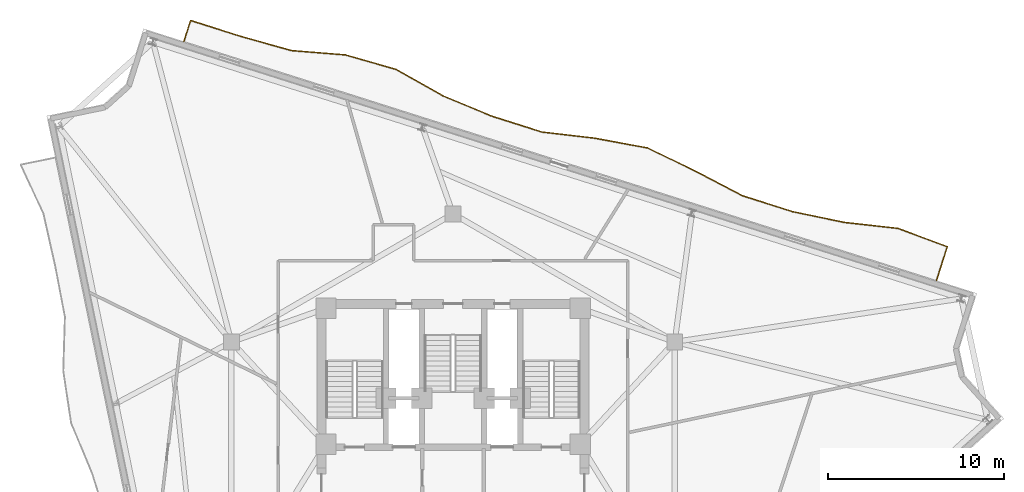
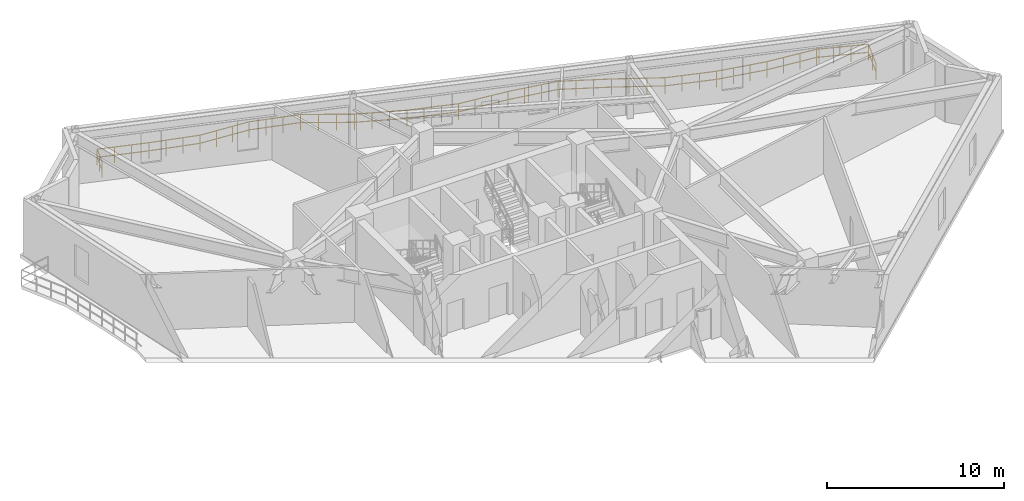
# One storey, part 11 of 11: 1 railing.
"""IFC4 building model written with IfcOpenShell, lengths in metres."""

import ifcopenshell
import ifcopenshell.guid

model = None  # the IFC model being written
_history = None  # IfcOwnerHistory: only IFC2X3 demands one
_inside = {}  # id of a spatial element -> (the spatial element, [elements in it])
_under = {}  # id of a project, library or spatial element -> (it, [spatial elements below it])
_declared = {}  # id of a project -> (the project, [libraries it declares])
_typed = {}  # id of a type object -> (the type object, [elements of that type])
_made_of = {}  # id of a material, layer set ... -> (it, [elements and type objects made of it])


def new_model(schema):
    """Start an empty IFC model of exactly this schema.

    Asked for "IFC4X3", IfcOpenShell would pick the latest addendum, in which some entities
    have other attributes; the version numbers below select the first issue.
    IFC2X3 requires an IfcOwnerHistory on every rooted entity: one is made here for all.
    """
    global model, _history
    if schema == "IFC4X3":
        model = ifcopenshell.file(schema_version=(4, 3, 0, 0))
    else:
        model = ifcopenshell.file(schema=schema)
    _inside.clear()
    _under.clear()
    _declared.clear()
    _typed.clear()
    _made_of.clear()
    _history = None
    if model.schema == "IFC2X3":
        org = make("IfcOrganization", Name="unknown")
        user = make(
            "IfcPersonAndOrganization",
            ThePerson=make("IfcPerson", FamilyName="unknown"),
            TheOrganization=org,
        )
        app = make(
            "IfcApplication",
            ApplicationDeveloper=org,
            Version="unknown",
            ApplicationFullName="unknown",
            ApplicationIdentifier="unknown",
        )
        _history = make(
            "IfcOwnerHistory",
            OwningUser=user,
            OwningApplication=app,
            ChangeAction="ADDED",
            CreationDate=0,
        )
    return model


def make(cls, **values):
    """One entity of the class cls with the attributes given. An attribute that is None is left unset."""
    return model.create_entity(
        cls, **{name: value for name, value in values.items() if value is not None}
    )


def rooted(cls, **values):
    """An entity with a GlobalId (a new one), such as an element, a storey or a relation."""
    return make(cls, GlobalId=ifcopenshell.guid.new(), OwnerHistory=_history, **values)


def si_unit(unit_type, name, prefix=None):
    """IfcSIUnit, for example si_unit("LENGTHUNIT", "METRE", prefix="MILLI")."""
    return make("IfcSIUnit", UnitType=unit_type, Prefix=prefix, Name=name)


def assignment(units):
    """IfcUnitAssignment: the units of a project."""
    return None if units is None else make("IfcUnitAssignment", Units=units)


def point(xyz):
    """IfcCartesianPoint."""
    return None if xyz is None else make("IfcCartesianPoint", Coordinates=xyz)


def direction(xyz):
    """IfcDirection."""
    return None if xyz is None else make("IfcDirection", DirectionRatios=xyz)


def frame(location, z_axis=None, x_axis=None):
    """IfcAxis2Placement3D, a coordinate frame: its origin and axes. An axis left out is left unset."""
    return make(
        "IfcAxis2Placement3D",
        Location=point(location),
        Axis=direction(z_axis),
        RefDirection=direction(x_axis),
    )


def frame_2d(location, x_axis=None):
    """IfcAxis2Placement2D, a coordinate frame in the plane: its origin and x axis."""
    return make(
        "IfcAxis2Placement2D", Location=point(location), RefDirection=direction(x_axis)
    )


def origin():
    """The frame at (0, 0, 0) with its axes left unset."""
    return frame((0.0, 0.0, 0.0))


def origin_2d():
    """The frame at (0, 0) in the plane with its x axis left unset."""
    return frame_2d((0.0, 0.0))


def place(relative_to, where):
    """IfcLocalPlacement: puts the frame where relative to a parent placement (None: the world)."""
    return make(
        "IfcLocalPlacement", PlacementRelTo=relative_to, RelativePlacement=where
    )


def context(
    kind, dimensions, precision=None, world=None, true_north=None, identifier=None
):
    """IfcGeometricRepresentationContext, for example the 3D "Model" context."""
    return make(
        "IfcGeometricRepresentationContext",
        ContextIdentifier=identifier,
        ContextType=kind,
        CoordinateSpaceDimension=dimensions,
        Precision=precision,
        WorldCoordinateSystem=world,
        TrueNorth=true_north,
    )


def subcontext(parent, identifier, kind, view, scale=None):
    """IfcGeometricRepresentationSubContext, for example "Body" below "Model"."""
    return make(
        "IfcGeometricRepresentationSubContext",
        ContextIdentifier=identifier,
        ContextType=kind,
        ParentContext=parent,
        TargetScale=scale,
        TargetView=view,
    )


def project(units=None, contexts=None):
    """IfcProject with its units and contexts."""
    return rooted(
        "IfcProject",
        Name="project",
        RepresentationContexts=contexts,
        UnitsInContext=assignment(units),
    )


def spatial(cls, under=None, at=None, **own):
    """A site, building, storey or space (cls), placed at a placement, below another one or the project."""
    s = rooted(cls, ObjectPlacement=at, **own)
    if under is not None:
        _under.setdefault(under.id(), (under, []))[1].append(s)
    return s


def profile(cls, at=None, kind="AREA", **sizes):
    """A parametric profile (cls). Its sizes go by their IFC names, for example OverallWidth=200.0."""
    return make(cls, ProfileType=kind, Position=at, **sizes)


def rectangle(**sizes):
    """IfcRectangleProfileDef."""
    return profile("IfcRectangleProfileDef", **sizes)


def extrude(swept, where, along, depth):
    """IfcExtrudedAreaSolid: the profile swept, set in the frame where, extruded along a direction by depth."""
    return make(
        "IfcExtrudedAreaSolid",
        SweptArea=swept,
        Position=where,
        ExtrudedDirection=direction(along),
        Depth=depth,
    )


def shape(context_of_items, identifier, shape_type, items):
    """IfcShapeRepresentation: the items that make up one representation, for example the "Body"."""
    return make(
        "IfcShapeRepresentation",
        ContextOfItems=context_of_items,
        RepresentationIdentifier=identifier,
        RepresentationType=shape_type,
        Items=items,
    )


def material(Name=None, Category=None):
    """IfcMaterial."""
    return make("IfcMaterial", Name=Name, Category=Category)


def made_of(thing, what):
    """Note that an element or type object is made of a material, layer set ...; save() writes the relation."""
    if what is not None:
        _made_of.setdefault(what.id(), (what, []))[1].append(thing)
    return thing


def type_object(cls, material=None, **own):
    """A type object (cls), such as IfcWallType, which elements share."""
    return made_of(rooted(cls, **own), material)


def element(
    cls,
    number,
    at=None,
    inside=None,
    cuts=None,
    type_object=None,
    material=None,
    context=None,
    identifier="Body",
    shape_type=None,
    held_by="IfcProductDefinitionShape",
    body=None,
    shapes=None,
    **own,
):
    """One element of the class cls, such as IfcWall. Its Tag is "e" and its number.

    at: its placement. inside: the storey or other place that contains it. cuts: it is an
    opening in that element (IfcRelVoidsElement). A single representation is given by context,
    identifier, shape_type and body (its items); several are given by shapes. held_by: the class
    of the entity that holds the representations. save() writes the other relations.
    """
    e = rooted(cls, Tag="e%d" % number, ObjectPlacement=at, **own)
    if body is not None:
        shapes = [shape(context, identifier, shape_type, body)]
    if shapes is not None:
        e.Representation = make(held_by, Representations=shapes)
    if inside is not None:
        _inside.setdefault(inside.id(), (inside, []))[1].append(e)
    if cuts is not None:
        rooted(
            "IfcRelVoidsElement", RelatingBuildingElement=cuts, RelatedOpeningElement=e
        )
    if type_object is not None:
        _typed.setdefault(type_object.id(), (type_object, []))[1].append(e)
    return made_of(e, material)


def aggregate(whole, parts):
    """IfcRelAggregates: a whole, such as a stair, and the parts it consists of."""
    return rooted("IfcRelAggregates", RelatingObject=whole, RelatedObjects=parts)


def save(model, path):
    """Write the relations noted so far, then the file.

    IfcRelAggregates (storeys below a building ...), IfcRelContainedInSpatialStructure (elements
    in a storey), IfcRelDefinesByType, IfcRelAssociatesMaterial and IfcRelDeclares: one each for
    every whole, place, type object, material and project.
    """
    for whole, parts in _under.values():
        aggregate(whole, parts)
    for where, things in _inside.values():
        rooted(
            "IfcRelContainedInSpatialStructure",
            RelatedElements=things,
            RelatingStructure=where,
        )
    for kind, things in _typed.values():
        rooted("IfcRelDefinesByType", RelatedObjects=things, RelatingType=kind)
    for what, things in _made_of.values():
        rooted("IfcRelAssociatesMaterial", RelatedObjects=things, RelatingMaterial=what)
    for by, libraries in _declared.values():
        rooted("IfcRelDeclares", RelatingContext=by, RelatedDefinitions=libraries)
    model.write(path)


model = new_model("IFC4")

# Units and contexts
model_context = context("Model", 3, precision=1e-05, world=origin(), true_north=direction((0.0, 1.0)))
body_context = subcontext(model_context, "Body", "Model", "MODEL_VIEW")
ifc_project = project(units=[si_unit("LENGTHUNIT", "METRE"), si_unit("AREAUNIT", "SQUARE_METRE"), si_unit("VOLUMEUNIT", "CUBIC_METRE"), si_unit("PLANEANGLEUNIT", "RADIAN"), si_unit("MASSUNIT", "GRAM", prefix="KILO")], contexts=[model_context])

# Site, building, storey
site_placement = place(None, origin())
site = spatial("IfcSite", under=ifc_project, at=site_placement, CompositionType="ELEMENT")
building_placement = place(site_placement, origin())
building = spatial("IfcBuilding", under=site, at=building_placement, Name="Apsidion Concourse Tower", CompositionType="ELEMENT")
storey_placement = place(building_placement, frame((0.0, 0.0, 252.699951171875)))
storey = spatial("IfcBuildingStorey", under=building, at=storey_placement, Name="L59", CompositionType="ELEMENT", Elevation=252.699951171875)

# Railing
ifc_material = material(Name="Brushed stainless steel 316", Category="steel")
railing_type = type_object("IfcRailingType", Name="RL-BAL-1120", PredefinedType="BALUSTRADE", material=ifc_material)
railing_placement = place(storey_placement, frame((-15.25, 24.272216796875, 0.0)))
element("IfcRailing", 1, at=railing_placement, inside=storey, type_object=railing_type, Name="L59 Face 3 Rippling Balcony Balustrade", PredefinedType="BALUSTRADE", context=body_context, shape_type="SweptSolid", body=[
    extrude(rectangle(XDim=0.048095703125, YDim=0.048095703125, at=origin_2d()), frame((0.0, 0.0, 1.09619140625), z_axis=(0.302719940533, 0.953079554709, 0.0), x_axis=(-0.953079554709, 0.302719940533, 0.0)), (0.0, 0.0, 1.0), 1.25),
    extrude(rectangle(XDim=0.048095703125, YDim=0.048095703125, at=origin_2d()), frame((0.0, 0.0, 0.5361328125), z_axis=(0.302719940533, 0.953079554709, 0.0), x_axis=(-0.953079554709, 0.302719940533, 0.0)), (0.0, 0.0, 1.0), 1.25),
    extrude(rectangle(XDim=0.048095703125, YDim=0.048095703125, at=origin_2d()), frame((0.37841796875, 1.19140625, 1.09619140625), z_axis=(0.953072925335, -0.302740811577, 0.0), x_axis=(0.302740811577, 0.953072925335, 0.0)), (0.0, 0.0, 1.0), 2.98291015625),
    extrude(rectangle(XDim=0.048095703125, YDim=0.048095703125, at=origin_2d()), frame((0.37841796875, 1.19140625, 0.5361328125), z_axis=(0.953072925335, -0.302740811577, 0.0), x_axis=(0.302740811577, 0.953072925335, 0.0)), (0.0, 0.0, 1.0), 2.98291015625),
    extrude(rectangle(XDim=0.048095703125, YDim=0.048095703125, at=origin_2d()), frame((3.221435546875, 0.288330078125, 1.09619140625), z_axis=(0.963070125641, -0.269250688205, 0.0), x_axis=(0.269250688205, 0.963070125641, 0.0)), (0.0, 0.0, 1.0), 2.985107421875),
    extrude(rectangle(XDim=0.048095703125, YDim=0.048095703125, at=origin_2d()), frame((3.221435546875, 0.288330078125, 0.5361328125), z_axis=(0.963070125641, -0.269250688205, 0.0), x_axis=(0.269250688205, 0.963070125641, 0.0)), (0.0, 0.0, 1.0), 2.985107421875),
    extrude(rectangle(XDim=0.048095703125, YDim=0.048095703125, at=origin_2d()), frame((6.09619140625, -0.515380859375, 1.09619140625), z_axis=(0.996803097079, -0.079897344474, 0.0), x_axis=(0.079897344474, 0.996803097079, 0.0)), (0.0, 0.0, 1.0), 3.061767578125),
    extrude(rectangle(XDim=0.048095703125, YDim=0.048095703125, at=origin_2d()), frame((6.09619140625, -0.515380859375, 0.5361328125), z_axis=(0.996803097079, -0.079897344474, 0.0), x_axis=(0.079897344474, 0.996803097079, 0.0)), (0.0, 0.0, 1.0), 3.061767578125),
    extrude(rectangle(XDim=0.048095703125, YDim=0.048095703125, at=origin_2d()), frame((9.148193359375, -0.760009765625, 1.09619140625), z_axis=(0.961388000735, -0.275196497147, 0.0), x_axis=(0.275196497147, 0.961388000735, 0.0)), (0.0, 0.0, 1.0), 2.984375),
    extrude(rectangle(XDim=0.048095703125, YDim=0.048095703125, at=origin_2d()), frame((9.148193359375, -0.760009765625, 0.5361328125), z_axis=(0.961388000735, -0.275196497147, 0.0), x_axis=(0.275196497147, 0.961388000735, 0.0)), (0.0, 0.0, 1.0), 2.984375),
    extrude(rectangle(XDim=0.048095703125, YDim=0.048095703125, at=origin_2d()), frame((12.017333984375, -1.581298828125, 1.09619140625), z_axis=(0.870922202238, -0.491420916984, 0.0), x_axis=(0.491420916984, 0.870922202238, 0.0)), (0.0, 0.0, 1.0), 3.04736328125),
    extrude(rectangle(XDim=0.048095703125, YDim=0.048095703125, at=origin_2d()), frame((12.017333984375, -1.581298828125, 0.5361328125), z_axis=(0.870922202238, -0.491420916984, 0.0), x_axis=(0.491420916984, 0.870922202238, 0.0)), (0.0, 0.0, 1.0), 3.04736328125),
    extrude(rectangle(XDim=0.048095703125, YDim=0.048095703125, at=origin_2d()), frame((14.67138671875, -3.078857421875, 1.09619140625), z_axis=(0.923613997162, -0.383323863393, 0.0), x_axis=(0.383323863393, 0.923613997162, 0.0)), (0.0, 0.0, 1.0), 2.994140625),
    extrude(rectangle(XDim=0.048095703125, YDim=0.048095703125, at=origin_2d()), frame((14.67138671875, -3.078857421875, 0.5361328125), z_axis=(0.923613997162, -0.383323863393, 0.0), x_axis=(0.383323863393, 0.923613997162, 0.0)), (0.0, 0.0, 1.0), 2.994140625),
    extrude(rectangle(XDim=0.048095703125, YDim=0.048095703125, at=origin_2d()), frame((17.436767578125, -4.2265625, 1.09619140625), z_axis=(0.953072925335, -0.302740811577, 0.0), x_axis=(0.302740811577, 0.953072925335, 0.0)), (0.0, 0.0, 1.0), 2.98291015625),
    extrude(rectangle(XDim=0.048095703125, YDim=0.048095703125, at=origin_2d()), frame((17.436767578125, -4.2265625, 0.5361328125), z_axis=(0.953072925335, -0.302740811577, 0.0), x_axis=(0.302740811577, 0.953072925335, 0.0)), (0.0, 0.0, 1.0), 2.98291015625),
    extrude(rectangle(XDim=0.048095703125, YDim=0.048095703125, at=origin_2d()), frame((20.27978515625, -5.129638671875, 1.09619140625), z_axis=(0.993208618714, -0.116347065763, 0.0), x_axis=(0.116347065763, 0.993208618714, 0.0)), (0.0, 0.0, 1.0), 3.03857421875),
    extrude(rectangle(XDim=0.048095703125, YDim=0.048095703125, at=origin_2d()), frame((20.27978515625, -5.129638671875, 0.5361328125), z_axis=(0.993208618714, -0.116347065763, 0.0), x_axis=(0.116347065763, 0.993208618714, 0.0)), (0.0, 0.0, 1.0), 3.03857421875),
    extrude(rectangle(XDim=0.048095703125, YDim=0.048095703125, at=origin_2d()), frame((23.297607421875, -5.483154296875, 1.09619140625), z_axis=(0.983282543548, -0.182086351915, 0.0), x_axis=(0.182086351915, 0.983282543548, 0.0)), (0.0, 0.0, 1.0), 3.006103515625),
    extrude(rectangle(XDim=0.048095703125, YDim=0.048095703125, at=origin_2d()), frame((23.297607421875, -5.483154296875, 0.5361328125), z_axis=(0.983282543548, -0.182086351915, 0.0), x_axis=(0.182086351915, 0.983282543548, 0.0)), (0.0, 0.0, 1.0), 3.006103515625),
    extrude(rectangle(XDim=0.048095703125, YDim=0.048095703125, at=origin_2d()), frame((26.25341796875, -6.030517578125, 1.09619140625), z_axis=(0.901429453501, -0.432926021811, 0.0), x_axis=(0.432926021811, 0.901429453501, 0.0)), (0.0, 0.0, 1.0), 3.012451171875),
    extrude(rectangle(XDim=0.048095703125, YDim=0.048095703125, at=origin_2d()), frame((26.25341796875, -6.030517578125, 0.5361328125), z_axis=(0.901429453501, -0.432926021811, 0.0), x_axis=(0.432926021811, 0.901429453501, 0.0)), (0.0, 0.0, 1.0), 3.012451171875),
    extrude(rectangle(XDim=0.048095703125, YDim=0.048095703125, at=origin_2d()), frame((28.968994140625, -7.334716796875, 1.09619140625), z_axis=(0.885654809874, -0.464344223339, 0.0), x_axis=(0.464344223339, 0.885654809874, 0.0)), (0.0, 0.0, 1.0), 3.029541015625),
    extrude(rectangle(XDim=0.048095703125, YDim=0.048095703125, at=origin_2d()), frame((28.968994140625, -7.334716796875, 0.5361328125), z_axis=(0.885654809874, -0.464344223339, 0.0), x_axis=(0.464344223339, 0.885654809874, 0.0)), (0.0, 0.0, 1.0), 3.029541015625),
    extrude(rectangle(XDim=0.048095703125, YDim=0.048095703125, at=origin_2d()), frame((31.652099609375, -8.741455078125, 1.09619140625), z_axis=(0.953072925335, -0.302740811577, 0.0), x_axis=(0.302740811577, 0.953072925335, 0.0)), (0.0, 0.0, 1.0), 2.98291015625),
    extrude(rectangle(XDim=0.048095703125, YDim=0.048095703125, at=origin_2d()), frame((31.652099609375, -8.741455078125, 0.5361328125), z_axis=(0.953072925335, -0.302740811577, 0.0), x_axis=(0.302740811577, 0.953072925335, 0.0)), (0.0, 0.0, 1.0), 2.98291015625),
    extrude(rectangle(XDim=0.048095703125, YDim=0.048095703125, at=origin_2d()), frame((34.4951171875, -9.64453125, 1.09619140625), z_axis=(0.979172328805, -0.203030910213, 0.0), x_axis=(0.203030910213, 0.979172328805, 0.0)), (0.0, 0.0, 1.0), 2.9990234375),
    extrude(rectangle(XDim=0.048095703125, YDim=0.048095703125, at=origin_2d()), frame((34.4951171875, -9.64453125, 0.5361328125), z_axis=(0.979172328805, -0.203030910213, 0.0), x_axis=(0.203030910213, 0.979172328805, 0.0)), (0.0, 0.0, 1.0), 2.9990234375),
    extrude(rectangle(XDim=0.048095703125, YDim=0.048095703125, at=origin_2d()), frame((37.431640625, -10.25341796875, 1.09619140625), z_axis=(0.993836656736, -0.110854407798, 0.0), x_axis=(0.110854407798, 0.993836656736, 0.0)), (0.0, 0.0, 1.0), 3.04150390625),
    extrude(rectangle(XDim=0.048095703125, YDim=0.048095703125, at=origin_2d()), frame((37.431640625, -10.25341796875, 0.5361328125), z_axis=(0.993836656736, -0.110854407798, 0.0), x_axis=(0.110854407798, 0.993836656736, 0.0)), (0.0, 0.0, 1.0), 3.04150390625),
    extrude(rectangle(XDim=0.048095703125, YDim=0.048095703125, at=origin_2d()), frame((40.454345703125, -10.590576171875, 1.09619140625), z_axis=(0.937529668337, -0.347905333372, 0.0), x_axis=(0.347905333372, 0.937529668337, 0.0)), (0.0, 0.0, 1.0), 2.986572265625),
    extrude(rectangle(XDim=0.048095703125, YDim=0.048095703125, at=origin_2d()), frame((40.454345703125, -10.590576171875, 0.5361328125), z_axis=(0.937529668337, -0.347905333372, 0.0), x_axis=(0.347905333372, 0.937529668337, 0.0)), (0.0, 0.0, 1.0), 2.986572265625),
    extrude(rectangle(XDim=0.048095703125, YDim=0.048095703125, at=origin_2d()), frame((43.25439453125, -11.629638671875, 1.09619140625), z_axis=(-0.302747302928, -0.953070863352, 0.0), x_axis=(0.953070863352, -0.302747302928, 0.0)), (0.0, 0.0, 1.0), 2.009521484375),
    extrude(rectangle(XDim=0.048095703125, YDim=0.048095703125, at=origin_2d()), frame((43.25439453125, -11.629638671875, 0.5361328125), z_axis=(-0.302747302928, -0.953070863352, 0.0), x_axis=(0.953070863352, -0.302747302928, 0.0)), (0.0, 0.0, 1.0), 2.009521484375),
    extrude(rectangle(XDim=0.0419921875, YDim=0.0419921875, at=origin_2d()), origin(), (0.0, 0.0, 1.0), 1.072021484375),
    extrude(rectangle(XDim=0.0419921875, YDim=0.0419921875, at=origin_2d()), frame((0.189208984375, 0.595703125, 0.0)), (0.0, 0.0, 1.0), 1.072021484375),
    extrude(rectangle(XDim=0.0419921875, YDim=0.0419921875, at=origin_2d()), frame((0.37841796875, 1.19140625, 0.0)), (0.0, 0.0, 1.0), 1.072021484375),
    extrude(rectangle(XDim=0.0419921875, YDim=0.0419921875, at=origin_2d()), frame((1.326171875, 0.890380859375, 0.0)), (0.0, 0.0, 1.0), 1.072021484375),
    extrude(rectangle(XDim=0.0419921875, YDim=0.0419921875, at=origin_2d()), frame((2.273681640625, 0.58935546875, 0.0)), (0.0, 0.0, 1.0), 1.072021484375),
    extrude(rectangle(XDim=0.0419921875, YDim=0.0419921875, at=origin_2d()), frame((3.221435546875, 0.288330078125, 0.0)), (0.0, 0.0, 1.0), 1.072021484375),
    extrude(rectangle(XDim=0.0419921875, YDim=0.0419921875, at=origin_2d()), frame((4.1796875, 0.0205078125, 0.0)), (0.0, 0.0, 1.0), 1.072021484375),
    extrude(rectangle(XDim=0.0419921875, YDim=0.0419921875, at=origin_2d()), frame((5.137939453125, -0.24755859375, 0.0)), (0.0, 0.0, 1.0), 1.072021484375),
    extrude(rectangle(XDim=0.0419921875, YDim=0.0419921875, at=origin_2d()), frame((6.09619140625, -0.515380859375, 0.0)), (0.0, 0.0, 1.0), 1.072021484375),
    extrude(rectangle(XDim=0.0419921875, YDim=0.0419921875, at=origin_2d()), frame((7.113525390625, -0.596923828125, 0.0)), (0.0, 0.0, 1.0), 1.072021484375),
    extrude(rectangle(XDim=0.0419921875, YDim=0.0419921875, at=origin_2d()), frame((8.130859375, -0.678466796875, 0.0)), (0.0, 0.0, 1.0), 1.072021484375),
    extrude(rectangle(XDim=0.0419921875, YDim=0.0419921875, at=origin_2d()), frame((9.148193359375, -0.760009765625, 0.0)), (0.0, 0.0, 1.0), 1.072021484375),
    extrude(rectangle(XDim=0.0419921875, YDim=0.0419921875, at=origin_2d()), frame((10.1044921875, -1.03369140625, 0.0)), (0.0, 0.0, 1.0), 1.072021484375),
    extrude(rectangle(XDim=0.0419921875, YDim=0.0419921875, at=origin_2d()), frame((11.06103515625, -1.3076171875, 0.0)), (0.0, 0.0, 1.0), 1.072021484375),
    extrude(rectangle(XDim=0.0419921875, YDim=0.0419921875, at=origin_2d()), frame((12.017333984375, -1.581298828125, 0.0)), (0.0, 0.0, 1.0), 1.072021484375),
    extrude(rectangle(XDim=0.0419921875, YDim=0.0419921875, at=origin_2d()), frame((12.902099609375, -2.08056640625, 0.0)), (0.0, 0.0, 1.0), 1.072021484375),
    extrude(rectangle(XDim=0.0419921875, YDim=0.0419921875, at=origin_2d()), frame((13.78662109375, -2.57958984375, 0.0)), (0.0, 0.0, 1.0), 1.072021484375),
    extrude(rectangle(XDim=0.0419921875, YDim=0.0419921875, at=origin_2d()), frame((14.67138671875, -3.078857421875, 0.0)), (0.0, 0.0, 1.0), 1.072021484375),
    extrude(rectangle(XDim=0.0419921875, YDim=0.0419921875, at=origin_2d()), frame((15.59326171875, -3.46142578125, 0.0)), (0.0, 0.0, 1.0), 1.072021484375),
    extrude(rectangle(XDim=0.0419921875, YDim=0.0419921875, at=origin_2d()), frame((16.514892578125, -3.843994140625, 0.0)), (0.0, 0.0, 1.0), 1.072021484375),
    extrude(rectangle(XDim=0.0419921875, YDim=0.0419921875, at=origin_2d()), frame((17.436767578125, -4.2265625, 0.0)), (0.0, 0.0, 1.0), 1.072021484375),
    extrude(rectangle(XDim=0.0419921875, YDim=0.0419921875, at=origin_2d()), frame((18.384521484375, -4.527587890625, 0.0)), (0.0, 0.0, 1.0), 1.072021484375),
    extrude(rectangle(XDim=0.0419921875, YDim=0.0419921875, at=origin_2d()), frame((19.33203125, -4.82861328125, 0.0)), (0.0, 0.0, 1.0), 1.072021484375),
    extrude(rectangle(XDim=0.0419921875, YDim=0.0419921875, at=origin_2d()), frame((20.27978515625, -5.129638671875, 0.0)), (0.0, 0.0, 1.0), 1.072021484375),
    extrude(rectangle(XDim=0.0419921875, YDim=0.0419921875, at=origin_2d()), frame((21.28564453125, -5.24755859375, 0.0)), (0.0, 0.0, 1.0), 1.072021484375),
    extrude(rectangle(XDim=0.0419921875, YDim=0.0419921875, at=origin_2d()), frame((22.291748046875, -5.365234375, 0.0)), (0.0, 0.0, 1.0), 1.072021484375),
    extrude(rectangle(XDim=0.0419921875, YDim=0.0419921875, at=origin_2d()), frame((23.297607421875, -5.483154296875, 0.0)), (0.0, 0.0, 1.0), 1.072021484375),
    extrude(rectangle(XDim=0.0419921875, YDim=0.0419921875, at=origin_2d()), frame((24.282958984375, -5.66552734375, 0.0)), (0.0, 0.0, 1.0), 1.072021484375),
    extrude(rectangle(XDim=0.0419921875, YDim=0.0419921875, at=origin_2d()), frame((25.26806640625, -5.84814453125, 0.0)), (0.0, 0.0, 1.0), 1.072021484375),
    extrude(rectangle(XDim=0.0419921875, YDim=0.0419921875, at=origin_2d()), frame((26.25341796875, -6.030517578125, 0.0)), (0.0, 0.0, 1.0), 1.072021484375),
    extrude(rectangle(XDim=0.0419921875, YDim=0.0419921875, at=origin_2d()), frame((27.15869140625, -6.46533203125, 0.0)), (0.0, 0.0, 1.0), 1.072021484375),
    extrude(rectangle(XDim=0.0419921875, YDim=0.0419921875, at=origin_2d()), frame((28.063720703125, -6.89990234375, 0.0)), (0.0, 0.0, 1.0), 1.072021484375),
    extrude(rectangle(XDim=0.0419921875, YDim=0.0419921875, at=origin_2d()), frame((28.968994140625, -7.334716796875, 0.0)), (0.0, 0.0, 1.0), 1.072021484375),
    extrude(rectangle(XDim=0.0419921875, YDim=0.0419921875, at=origin_2d()), frame((29.86328125, -7.8037109375, 0.0)), (0.0, 0.0, 1.0), 1.072021484375),
    extrude(rectangle(XDim=0.0419921875, YDim=0.0419921875, at=origin_2d()), frame((30.7578125, -8.2724609375, 0.0)), (0.0, 0.0, 1.0), 1.072021484375),
    extrude(rectangle(XDim=0.0419921875, YDim=0.0419921875, at=origin_2d()), frame((31.652099609375, -8.741455078125, 0.0)), (0.0, 0.0, 1.0), 1.072021484375),
    extrude(rectangle(XDim=0.0419921875, YDim=0.0419921875, at=origin_2d()), frame((32.599853515625, -9.04248046875, 0.0)), (0.0, 0.0, 1.0), 1.072021484375),
    extrude(rectangle(XDim=0.0419921875, YDim=0.0419921875, at=origin_2d()), frame((33.54736328125, -9.343505859375, 0.0)), (0.0, 0.0, 1.0), 1.072021484375),
    extrude(rectangle(XDim=0.0419921875, YDim=0.0419921875, at=origin_2d()), frame((34.4951171875, -9.64453125, 0.0)), (0.0, 0.0, 1.0), 1.072021484375),
    extrude(rectangle(XDim=0.0419921875, YDim=0.0419921875, at=origin_2d()), frame((35.473876953125, -9.847412109375, 0.0)), (0.0, 0.0, 1.0), 1.072021484375),
    extrude(rectangle(XDim=0.0419921875, YDim=0.0419921875, at=origin_2d()), frame((36.452880859375, -10.050537109375, 0.0)), (0.0, 0.0, 1.0), 1.072021484375),
    extrude(rectangle(XDim=0.0419921875, YDim=0.0419921875, at=origin_2d()), frame((37.431640625, -10.25341796875, 0.0)), (0.0, 0.0, 1.0), 1.072021484375),
    extrude(rectangle(XDim=0.0419921875, YDim=0.0419921875, at=origin_2d()), frame((38.439208984375, -10.36572265625, 0.0)), (0.0, 0.0, 1.0), 1.072021484375),
    extrude(rectangle(XDim=0.0419921875, YDim=0.0419921875, at=origin_2d()), frame((39.44677734375, -10.478271484375, 0.0)), (0.0, 0.0, 1.0), 1.072021484375),
    extrude(rectangle(XDim=0.0419921875, YDim=0.0419921875, at=origin_2d()), frame((40.454345703125, -10.590576171875, 0.0)), (0.0, 0.0, 1.0), 1.072021484375),
    extrude(rectangle(XDim=0.0419921875, YDim=0.0419921875, at=origin_2d()), frame((41.3876953125, -10.93701171875, 0.0)), (0.0, 0.0, 1.0), 1.072021484375),
    extrude(rectangle(XDim=0.0419921875, YDim=0.0419921875, at=origin_2d()), frame((42.321044921875, -11.283203125, 0.0)), (0.0, 0.0, 1.0), 1.072021484375),
    extrude(rectangle(XDim=0.0419921875, YDim=0.0419921875, at=origin_2d()), frame((43.25439453125, -11.629638671875, 0.0)), (0.0, 0.0, 1.0), 1.072021484375),
    extrude(rectangle(XDim=0.0419921875, YDim=0.0419921875, at=origin_2d()), frame((42.9501953125, -12.58740234375, 0.0)), (0.0, 0.0, 1.0), 1.072021484375),
    extrude(rectangle(XDim=0.0419921875, YDim=0.0419921875, at=origin_2d()), frame((42.64599609375, -13.544921875, 0.0)), (0.0, 0.0, 1.0), 1.072021484375),
])

save(model, "model.ifc")
